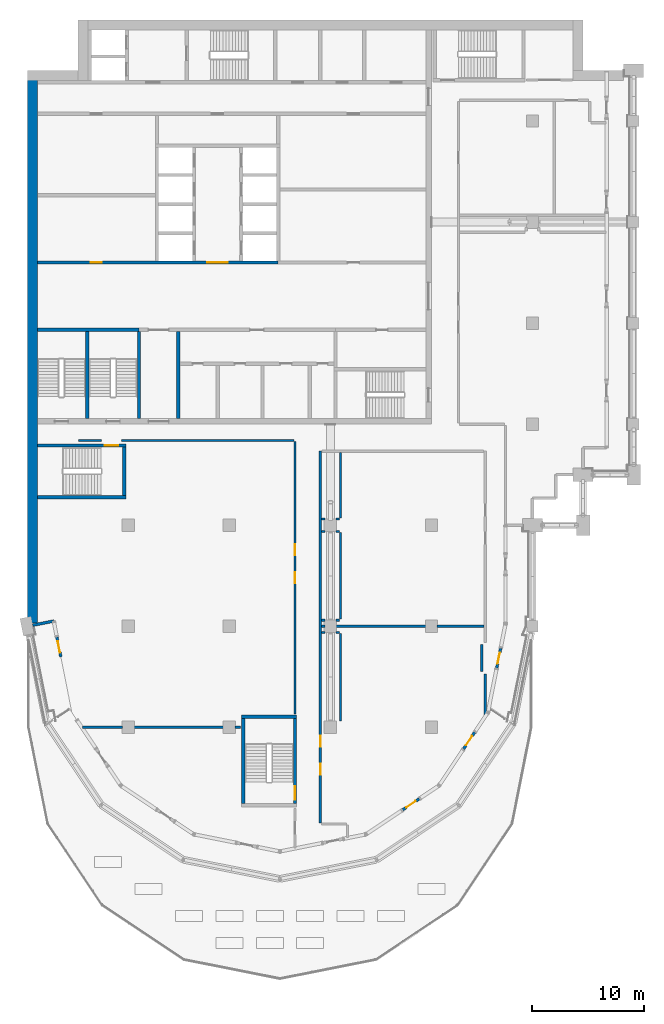
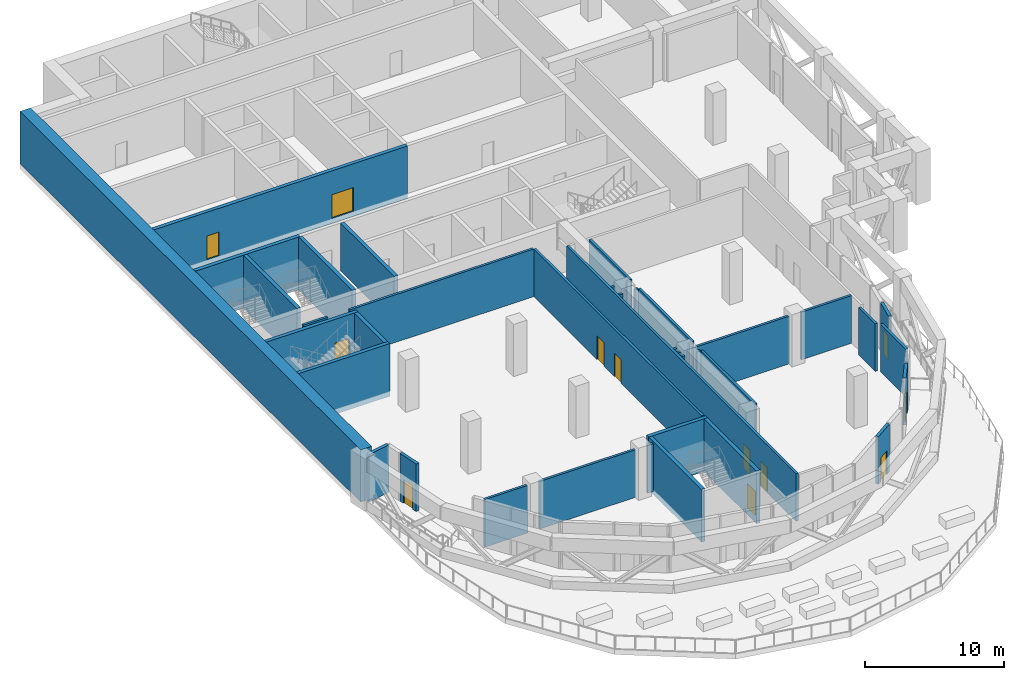
# One storey, part 6 of 16: 40 walls, 12 doors, 12 openings.
"""IFC4 building model written with IfcOpenShell, lengths in metres."""

from ifc_helpers import new_model, si_unit, direction, frame, frame_2d, origin, place, context, subcontext, project, spatial, rectangle, extrude, material, layer, layer_set, type_object, element, fill, save


model = new_model("IFC4")

# Units and contexts
model_context = context("Model", 3, precision=1e-05, world=origin(), true_north=direction((0.0, 1.0)))
body_context = subcontext(model_context, "Body", "Model", "MODEL_VIEW")
ifc_project = project(units=[si_unit("LENGTHUNIT", "METRE"), si_unit("AREAUNIT", "SQUARE_METRE"), si_unit("VOLUMEUNIT", "CUBIC_METRE"), si_unit("PLANEANGLEUNIT", "RADIAN"), si_unit("MASSUNIT", "GRAM", prefix="KILO")], contexts=[model_context])

# Site, building, storey
site_placement = place(None, origin())
site = spatial("IfcSite", under=ifc_project, at=site_placement, CompositionType="ELEMENT")
building_placement = place(site_placement, origin())
building = spatial("IfcBuilding", under=site, at=building_placement, Name="Hunhe Ridgeline Campus", CompositionType="ELEMENT")
storey_placement = place(building_placement, frame((0.0, 0.0, 227.199951171875)))
storey = spatial("IfcBuildingStorey", under=building, at=storey_placement, Name="L58", CompositionType="ELEMENT", Elevation=227.199951171875)

# Walls
ifc_material_1 = material(Name="Masonry concrete blockwork", Category="masonry")
ifc_layer_1 = layer(ifc_material_1, 0.300048828125)
ifc_layer_set_1 = layer_set([ifc_layer_1], Name="Core room partition 300 concrete block")
wall_type_1 = type_object("IfcWallType", Name="Core room partition 300 concrete block", PredefinedType="PARTITIONING", material=ifc_layer_set_1)
wall_1_placement = place(storey_placement, frame((13.449951171875, 63.5, 0.0), z_axis=(0.0, 0.0, 1.0), x_axis=(0.0, 1.0, 0.0)))
element("IfcWall", 1, at=wall_1_placement, inside=storey, type_object=wall_type_1, Name="L58 core partition 33", PredefinedType="PARTITIONING", context=body_context, shape_type="SweptSolid", body=[
    extrude(rectangle(XDim=7.75, YDim=0.300048828125, at=frame_2d((3.875, 0.0))), origin(), (0.0, 0.0, 1.0), 4.199951171875),
])
ifc_material_2 = material(Name="Concrete C30", Category="concrete")
ifc_layer_2 = layer(ifc_material_2, 0.25)
ifc_layer_set_2 = layer_set([ifc_layer_2], Name="Corner return wall 250 Concrete C30")
wall_type_2 = type_object("IfcWallType", Name="Corner return wall 250 Concrete C30", PredefinedType="SOLIDWALL", material=ifc_layer_set_2)
wall_2_placement = place(storey_placement, frame((0.490234375, 45.098388671875, 0.0), z_axis=(0.0, 0.0, 1.0), x_axis=(0.980836699013, 0.194831644939, 0.0)))
element("IfcWall", 2, at=wall_2_placement, inside=storey, type_object=wall_type_2, Name="Corner return wall 1", PredefinedType="SOLIDWALL", context=body_context, shape_type="SweptSolid", body=[
    extrude(rectangle(XDim=1.90087890625, YDim=0.25, at=frame_2d((0.950439453125, 0.0))), origin(), (0.0, 0.0, 1.0), 4.199951171875),
])
ifc_material_3 = material(Name="Gypsum board partition")
ifc_layer_3 = layer(ifc_material_3, 0.199951171875)
ifc_layer_set_3 = layer_set([ifc_layer_3], Name="Corridor partition 200 gypsum board on steel studs")
wall_type_3 = type_object("IfcWallType", Name="Corridor partition 200 gypsum board on steel studs", PredefinedType="PARTITIONING", material=ifc_layer_set_3)
wall_3_placement = place(storey_placement, frame((4.925537109375, 36.0, 0.0), z_axis=(0.0, 0.0, 1.0), x_axis=(1.0, 0.0, 0.0)))
element("IfcWall", 3, at=wall_3_placement, inside=storey, type_object=wall_type_3, Name="F-L58-wall-002", PredefinedType="PARTITIONING", context=body_context, shape_type="SweptSolid", body=[
    extrude(rectangle(XDim=3.574462890625, YDim=0.199951171875, at=frame_2d((1.787109375, 0.0))), origin(), (0.0, 0.0, 1.0), 4.199951171875),
])
wall_4_placement = place(storey_placement, frame((9.5, 36.0, 0.0), z_axis=(0.0, 0.0, 1.0), x_axis=(1.0, 0.0, 0.0)))
element("IfcWall", 4, at=wall_4_placement, inside=storey, type_object=wall_type_3, Name="F-L58-wall-003", PredefinedType="PARTITIONING", context=body_context, shape_type="SweptSolid", body=[
    extrude(rectangle(XDim=8.0, YDim=0.199951171875, at=frame_2d((4.0, 0.0))), origin(), (0.0, 0.0, 1.0), 4.199951171875),
])
wall_5_placement = place(storey_placement, frame((18.5, 36.0, 0.0), z_axis=(0.0, 0.0, 1.0), x_axis=(1.0, 0.0, 0.0)))
element("IfcWall", 5, at=wall_5_placement, inside=storey, type_object=wall_type_3, Name="F-L58-wall-004", PredefinedType="PARTITIONING", context=body_context, shape_type="SweptSolid", body=[
    extrude(rectangle(XDim=0.49609375, YDim=0.199951171875, at=frame_2d((0.248046875, 0.0))), origin(), (0.0, 0.0, 1.0), 4.199951171875),
])
for number, where, z_axis, x_axis, name in (
    (6, (26.199951171875, 44.449951171875, 0.0), (0.0, 0.0, 1.0), (1.0, 0.0, 0.0), "F-L58-wall-005"),
    (7, (27.5, 44.449951171875, 0.0), (0.0, 0.0, 1.0), (1.0, 0.0, 0.0), "F-L58-wall-006"),
    (8, (26.199951171875, 45.0, 0.0), (0.0, 0.0, 1.0), (1.0, 0.0, 0.0), "F-L58-wall-007"),
):
    element("IfcWall", number, at=place(storey_placement, frame(where, z_axis=z_axis, x_axis=x_axis)), inside=storey, type_object=wall_type_3, Name=name, PredefinedType="PARTITIONING", context=body_context, shape_type="SweptSolid", body=[
        extrude(rectangle(XDim=0.300048828125, YDim=0.199951171875, at=frame_2d((0.14990234375, 0.0))), origin(), (0.0, 0.0, 1.0), 4.199951171875),
    ])
wall_6_placement = place(storey_placement, frame((27.5, 45.0, 0.0), z_axis=(0.0, 0.0, 1.0), x_axis=(1.0, 0.0, 0.0)))
element("IfcWall", 9, at=wall_6_placement, inside=storey, type_object=wall_type_3, Name="F-L58-wall-008", PredefinedType="PARTITIONING", context=body_context, shape_type="SweptSolid", body=[
    extrude(rectangle(XDim=8.0, YDim=0.199951171875, at=frame_2d((4.0, 0.0))), origin(), (0.0, 0.0, 1.0), 4.199951171875),
])
wall_7_placement = place(storey_placement, frame((36.5, 45.0, 0.0), z_axis=(0.0, 0.0, 1.0), x_axis=(1.0, 0.0, 0.0)))
element("IfcWall", 10, at=wall_7_placement, inside=storey, type_object=wall_type_3, Name="F-L58-wall-009", PredefinedType="PARTITIONING", context=body_context, shape_type="SweptSolid", body=[
    extrude(rectangle(XDim=4.199951171875, YDim=0.199951171875, at=frame_2d((2.10009765625, 0.0))), origin(), (0.0, 0.0, 1.0), 4.199951171875),
])
for number, where, z_axis, x_axis, name in (
    (11, (26.199951171875, 45.550048828125, 0.0), (0.0, 0.0, 1.0), (1.0, 0.0, 0.0), "F-L58-wall-010"),
    (12, (27.5, 45.550048828125, 0.0), (0.0, 0.0, 1.0), (1.0, 0.0, 0.0), "F-L58-wall-011"),
    (13, (26.199951171875, 53.449951171875, 0.0), (0.0, 0.0, 1.0), (1.0, 0.0, 0.0), "F-L58-wall-012"),
    (14, (27.5, 53.449951171875, 0.0), (0.0, 0.0, 1.0), (1.0, 0.0, 0.0), "F-L58-wall-013"),
    (15, (26.199951171875, 54.550048828125, 0.0), (0.0, 0.0, 1.0), (1.0, 0.0, 0.0), "F-L58-wall-014"),
    (16, (27.5, 54.550048828125, 0.0), (0.0, 0.0, 1.0), (1.0, 0.0, 0.0), "F-L58-wall-015"),
):
    element("IfcWall", number, at=place(storey_placement, frame(where, z_axis=z_axis, x_axis=x_axis)), inside=storey, type_object=wall_type_3, Name=name, PredefinedType="PARTITIONING", context=body_context, shape_type="SweptSolid", body=[
        extrude(rectangle(XDim=0.300048828125, YDim=0.199951171875, at=frame_2d((0.14990234375, 0.0))), origin(), (0.0, 0.0, 1.0), 4.199951171875),
    ])
wall_8_placement = place(storey_placement, frame((23.75, 61.550048828125, 0.0), z_axis=(0.0, 0.0, 1.0), x_axis=(-1.0, 0.0, 0.0)))
element("IfcWall", 17, at=wall_8_placement, inside=storey, type_object=wall_type_3, Name="F-L58-wall-017", PredefinedType="PARTITIONING", context=body_context, shape_type="SweptSolid", body=[
    extrude(rectangle(XDim=15.35009765625, YDim=0.199951171875, at=frame_2d((7.675048828125, 0.0))), origin(), (0.0, 0.0, 1.0), 4.199951171875),
])
wall_9_placement = place(storey_placement, frame((6.590087890625, 61.550048828125, 0.0), z_axis=(0.0, 0.0, 1.0), x_axis=(-1.0, 0.0, 0.0)))
element("IfcWall", 18, at=wall_9_placement, inside=storey, type_object=wall_type_3, Name="F-L58-wall-018", PredefinedType="PARTITIONING", context=body_context, shape_type="SweptSolid", body=[
    extrude(rectangle(XDim=2.030029296875, YDim=0.199951171875, at=frame_2d((1.01513671875, 0.0))), origin(), (0.0, 0.0, 1.0), 4.199951171875),
])

# Wall, openings, doors
wall_10_placement = place(storey_placement, frame((23.85009765625, 37.2041015625, 0.0), z_axis=(0.0, 0.0, 1.0), x_axis=(0.0, 1.0, 0.0)))
wall_10 = element("IfcWall", 19, at=wall_10_placement, inside=storey, type_object=wall_type_3, Name="F-L58-wall-026", PredefinedType="PARTITIONING", context=body_context, shape_type="SweptSolid", body=[
    extrude(rectangle(XDim=24.245849609375, YDim=0.199951171875, at=frame_2d((12.123046875, 0.0))), origin(), (0.0, 0.0, 1.0), 4.199951171875),
])
opening_1_placement = place(wall_10_placement, frame((11.623046875, 0.0, 0.0)))
opening_1 = element("IfcOpeningElement", 20, at=opening_1_placement, cuts=wall_10, Name="Opening RD1-004", PredefinedType="OPENING", context=body_context, shape_type="SweptSolid", body=[
    extrude(rectangle(XDim=1.0, YDim=2.10009765625, at=frame_2d((0.5, 1.050048828125))), frame((0.0, 0.10009765625, 0.0), z_axis=(0.0, -1.0, 0.0), x_axis=(1.0, 0.0, 0.0)), (0.0, 0.0, 1.0), 0.199951171875),
])
opening_2_placement = place(wall_10_placement, frame((14.123046875, 0.0, 0.0)))
opening_2 = element("IfcOpeningElement", 21, at=opening_2_placement, cuts=wall_10, Name="Opening RD1-005", PredefinedType="OPENING", context=body_context, shape_type="SweptSolid", body=[
    extrude(rectangle(XDim=1.0, YDim=2.10009765625, at=frame_2d((0.5, 1.050048828125))), frame((0.0, 0.10009765625, 0.0), z_axis=(0.0, -1.0, 0.0), x_axis=(1.0, 0.0, 0.0)), (0.0, 0.0, 1.0), 0.199951171875),
])
ifc_material_4 = material(Name="Timber door leaf", Category="wood")
door_type_1 = type_object("IfcDoorType", Name="Single fire door 1000x2100 timber FD60", OperationType="NOTDEFINED", PredefinedType="DOOR", material=ifc_material_4)
door_1_placement = place(opening_1_placement, frame((1.0, 0.0, 0.0), z_axis=(0.0, 0.0, 1.0), x_axis=(-1.0, 0.0, 0.0)))
door_1 = element("IfcDoor", 22, at=door_1_placement, inside=storey, type_object=door_type_1, Name="F-L58-door-004", OperationType="SINGLE_SWING_LEFT", OverallHeight=2.10009765625, OverallWidth=1.0, PredefinedType="DOOR", context=body_context, shape_type="SweptSolid", body=[
    extrude(rectangle(XDim=1.0, YDim=2.10009765625, at=frame_2d((0.5, 1.050048828125))), frame((0.0, 0.02490234375, 0.0), z_axis=(0.0, -1.0, 0.0), x_axis=(1.0, 0.0, 0.0)), (0.0, 0.0, 1.0), 0.050048828125),
])
fill(opening_1, door_1)
door_2_placement = place(opening_2_placement, frame((1.0, 0.0, 0.0), z_axis=(0.0, 0.0, 1.0), x_axis=(-1.0, 0.0, 0.0)))
door_2 = element("IfcDoor", 23, at=door_2_placement, inside=storey, type_object=door_type_1, Name="F-L58-door-005", OperationType="SINGLE_SWING_LEFT", OverallHeight=2.10009765625, OverallWidth=1.0, PredefinedType="DOOR", context=body_context, shape_type="SweptSolid", body=[
    extrude(rectangle(XDim=1.0, YDim=2.10009765625, at=frame_2d((0.5, 1.050048828125))), frame((0.0, 0.02490234375, 0.0), z_axis=(0.0, -1.0, 0.0), x_axis=(1.0, 0.0, 0.0)), (0.0, 0.0, 1.0), 0.050048828125),
])
fill(opening_2, door_2)

wall_11_placement = place(storey_placement, frame((26.10009765625, 60.599853515625, 0.0), z_axis=(0.0, 0.0, 1.0), x_axis=(0.0, -1.0, 0.0)))
wall_11 = element("IfcWall", 24, at=wall_11_placement, inside=storey, type_object=wall_type_3, Name="F-L58-wall-028", PredefinedType="PARTITIONING", context=body_context, shape_type="SweptSolid", body=[
    extrude(rectangle(XDim=33.11279296875, YDim=0.199951171875, at=frame_2d((16.556396484375, 0.0))), origin(), (0.0, 0.0, 1.0), 4.199951171875),
])
opening_3_placement = place(wall_11_placement, frame((27.8330078125, 0.0, 0.0)))
opening_3 = element("IfcOpeningElement", 25, at=opening_3_placement, cuts=wall_11, Name="Opening RD1-002", PredefinedType="OPENING", context=body_context, shape_type="SweptSolid", body=[
    extrude(rectangle(XDim=1.0, YDim=2.10009765625, at=frame_2d((0.5, 1.050048828125))), frame((0.0, 0.10009765625, 0.0), z_axis=(0.0, -1.0, 0.0), x_axis=(1.0, 0.0, 0.0)), (0.0, 0.0, 1.0), 0.199951171875),
])
opening_4_placement = place(wall_11_placement, frame((25.3330078125, 0.0, 0.0)))
opening_4 = element("IfcOpeningElement", 26, at=opening_4_placement, cuts=wall_11, Name="Opening RD1-003", PredefinedType="OPENING", context=body_context, shape_type="SweptSolid", body=[
    extrude(rectangle(XDim=1.0, YDim=2.10009765625, at=frame_2d((0.5, 1.050048828125))), frame((0.0, 0.10009765625, 0.0), z_axis=(0.0, -1.0, 0.0), x_axis=(1.0, 0.0, 0.0)), (0.0, 0.0, 1.0), 0.199951171875),
])
door_3_placement = place(opening_3_placement, frame((1.0, 0.0, 0.0), z_axis=(0.0, 0.0, 1.0), x_axis=(-1.0, 0.0, 0.0)))
door_3 = element("IfcDoor", 27, at=door_3_placement, inside=storey, type_object=door_type_1, Name="F-L58-door-002", OperationType="SINGLE_SWING_LEFT", OverallHeight=2.10009765625, OverallWidth=1.0, PredefinedType="DOOR", context=body_context, shape_type="SweptSolid", body=[
    extrude(rectangle(XDim=1.0, YDim=2.10009765625, at=frame_2d((0.5, 1.050048828125))), frame((0.0, 0.02490234375, 0.0), z_axis=(0.0, -1.0, 0.0), x_axis=(1.0, 0.0, 0.0)), (0.0, 0.0, 1.0), 0.050048828125),
])
fill(opening_3, door_3)
door_4_placement = place(opening_4_placement, frame((1.0, 0.0, 0.0), z_axis=(0.0, 0.0, 1.0), x_axis=(-1.0, 0.0, 0.0)))
door_4 = element("IfcDoor", 28, at=door_4_placement, inside=storey, type_object=door_type_1, Name="F-L58-door-003", OperationType="SINGLE_SWING_LEFT", OverallHeight=2.10009765625, OverallWidth=1.0, PredefinedType="DOOR", context=body_context, shape_type="SweptSolid", body=[
    extrude(rectangle(XDim=1.0, YDim=2.10009765625, at=frame_2d((0.5, 1.050048828125))), frame((0.0, 0.02490234375, 0.0), z_axis=(0.0, -1.0, 0.0), x_axis=(1.0, 0.0, 0.0)), (0.0, 0.0, 1.0), 0.050048828125),
])
fill(opening_4, door_4)

# Walls
wall_12_placement = place(storey_placement, frame((27.89990234375, 44.35009765625, 0.0), z_axis=(0.0, 0.0, 1.0), x_axis=(0.0, -1.0, 0.0)))
element("IfcWall", 29, at=wall_12_placement, inside=storey, type_object=wall_type_3, Name="F-L58-wall-029", PredefinedType="PARTITIONING", context=body_context, shape_type="SweptSolid", body=[
    extrude(rectangle(XDim=7.800048828125, YDim=0.199951171875, at=frame_2d((3.89990234375, 0.0))), origin(), (0.0, 0.0, 1.0), 4.199951171875),
])
wall_13_placement = place(storey_placement, frame((27.89990234375, 53.35009765625, 0.0), z_axis=(0.0, 0.0, 1.0), x_axis=(0.0, -1.0, 0.0)))
element("IfcWall", 30, at=wall_13_placement, inside=storey, type_object=wall_type_3, Name="F-L58-wall-030", PredefinedType="PARTITIONING", context=body_context, shape_type="SweptSolid", body=[
    extrude(rectangle(XDim=7.7001953125, YDim=0.199951171875, at=frame_2d((3.85009765625, 0.0))), origin(), (0.0, 0.0, 1.0), 4.199951171875),
])
wall_14_placement = place(storey_placement, frame((27.89990234375, 60.5, 0.0), z_axis=(0.0, 0.0, 1.0), x_axis=(0.0, -1.0, 0.0)))
element("IfcWall", 31, at=wall_14_placement, inside=storey, type_object=wall_type_3, Name="F-L58-wall-031", PredefinedType="PARTITIONING", context=body_context, shape_type="SweptSolid", body=[
    extrude(rectangle(XDim=5.85009765625, YDim=0.199951171875, at=frame_2d((2.925048828125, 0.0))), origin(), (0.0, 0.0, 1.0), 4.199951171875),
])
wall_15_placement = place(storey_placement, frame((40.488037109375, 40.964111328125, 0.0), z_axis=(0.0, 0.0, 1.0), x_axis=(0.0, 1.0, 0.0)))
element("IfcWall", 32, at=wall_15_placement, inside=storey, type_object=wall_type_3, Name="F-L58-wall-034", PredefinedType="PARTITIONING", context=body_context, shape_type="SweptSolid", body=[
    extrude(rectangle(XDim=2.39990234375, YDim=0.199951171875, at=frame_2d((1.199951171875, 0.0))), origin(), (0.0, 0.0, 1.0), 4.199951171875),
])
wall_16_placement = place(storey_placement, frame((40.800048828125, 37.0859375, 0.0), z_axis=(0.0, 0.0, 1.0), x_axis=(0.0, 1.0, 0.0)))
element("IfcWall", 33, at=wall_16_placement, inside=storey, type_object=wall_type_3, Name="F-L58-wall-035", PredefinedType="PARTITIONING", context=body_context, shape_type="SweptSolid", body=[
    extrude(rectangle(XDim=3.677978515625, YDim=0.199951171875, at=frame_2d((1.8388671875, 0.0))), origin(), (0.0, 0.0, 1.0), 4.199951171875),
])

# Wall, opening, door
ifc_layer_4 = layer(ifc_material_2, 0.25)
ifc_layer_set_4 = layer_set([ifc_layer_4], Name="Loggia door pier wall 250 Concrete C30")
wall_type_4 = type_object("IfcWallType", Name="Loggia door pier wall 250 Concrete C30", PredefinedType="SOLIDWALL", material=ifc_layer_set_4)
wall_17_placement = place(storey_placement, frame((2.637939453125, 44.045654296875, 0.0), z_axis=(0.0, 0.0, 1.0), x_axis=(0.195046569833, -0.980793982239, 0.0)))
wall_17 = element("IfcWall", 34, at=wall_17_placement, inside=storey, type_object=wall_type_4, Name="Loggia door pier 1", PredefinedType="SOLIDWALL", context=body_context, shape_type="SweptSolid", body=[
    extrude(rectangle(XDim=1.800048828125, YDim=0.25, at=frame_2d((0.89990234375, 0.0))), origin(), (0.0, 0.0, 1.0), 4.199951171875),
])
opening_5_placement = place(wall_17_placement, frame((0.39990234375, 0.0, 0.0)))
opening_5 = element("IfcOpeningElement", 35, at=opening_5_placement, cuts=wall_17, Name="Opening BR501", PredefinedType="OPENING", context=body_context, shape_type="SweptSolid", body=[
    extrude(rectangle(XDim=1.0, YDim=2.10009765625, at=frame_2d((0.5, 1.050048828125))), frame((0.0, 0.125, 0.0), z_axis=(0.0, -1.0, 0.0), x_axis=(1.0, 0.0, 0.0)), (0.0, 0.0, 1.0), 0.25),
])
ifc_material_5 = material(Name="Aluminium 6063", Category="aluminium")
door_type_2 = type_object("IfcDoorType", Name="Loggia glazed door 1000x2100", OperationType="NOTDEFINED", PredefinedType="DOOR", material=ifc_material_5)
door_5_placement = place(opening_5_placement, frame((1.0, 0.0, 0.0), z_axis=(0.0, 0.0, 1.0), x_axis=(-1.0, 0.0, 0.0)))
door_5 = element("IfcDoor", 36, at=door_5_placement, inside=storey, type_object=door_type_2, Name="Loggia door BR501", OperationType="SINGLE_SWING_RIGHT", OverallHeight=2.10009765625, OverallWidth=1.0, PredefinedType="DOOR", context=body_context, shape_type="SweptSolid", body=[
    extrude(rectangle(XDim=1.0, YDim=2.10009765625, at=frame_2d((0.5, 1.050048828125))), frame((0.0, 0.02490234375, 0.0), z_axis=(0.0, -1.0, 0.0), x_axis=(1.0, 0.0, 0.0)), (0.0, 0.0, 1.0), 0.050048828125),
])
fill(opening_5, door_5)

wall_18_placement = place(storey_placement, frame((33.42626953125, 28.647705078125, 0.0), z_axis=(0.0, 0.0, 1.0), x_axis=(0.83146554274, 0.555576323502, 0.0)))
wall_18 = element("IfcWall", 37, at=wall_18_placement, inside=storey, type_object=wall_type_4, Name="Loggia door pier 6", PredefinedType="SOLIDWALL", context=body_context, shape_type="SweptSolid", body=[
    extrude(rectangle(XDim=1.800048828125, YDim=0.25, at=frame_2d((0.89990234375, 0.0))), origin(), (0.0, 0.0, 1.0), 4.199951171875),
])
opening_6_placement = place(wall_18_placement, frame((0.39990234375, 0.0, 0.0)))
opening_6 = element("IfcOpeningElement", 38, at=opening_6_placement, cuts=wall_18, Name="Opening BR506", PredefinedType="OPENING", context=body_context, shape_type="SweptSolid", body=[
    extrude(rectangle(XDim=1.0, YDim=2.10009765625, at=frame_2d((0.5, 1.050048828125))), frame((0.0, 0.125, 0.0), z_axis=(0.0, -1.0, 0.0), x_axis=(1.0, 0.0, 0.0)), (0.0, 0.0, 1.0), 0.25),
])
door_6_placement = place(opening_6_placement, frame((1.0, 0.0, 0.0), z_axis=(0.0, 0.0, 1.0), x_axis=(-1.0, 0.0, 0.0)))
door_6 = element("IfcDoor", 39, at=door_6_placement, inside=storey, type_object=door_type_2, Name="Loggia door BR506", OperationType="SINGLE_SWING_LEFT", OverallHeight=2.10009765625, OverallWidth=1.0, PredefinedType="DOOR", context=body_context, shape_type="SweptSolid", body=[
    extrude(rectangle(XDim=1.0, YDim=2.10009765625, at=frame_2d((0.5, 1.050048828125))), frame((0.0, 0.02490234375, 0.0), z_axis=(0.0, -1.0, 0.0), x_axis=(1.0, 0.0, 0.0)), (0.0, 0.0, 1.0), 0.050048828125),
])
fill(opening_6, door_6)

wall_19_placement = place(storey_placement, frame((38.852294921875, 34.07373046875, 0.0), z_axis=(0.0, 0.0, 1.0), x_axis=(0.555576323502, 0.83146554274, 0.0)))
wall_19 = element("IfcWall", 40, at=wall_19_placement, inside=storey, type_object=wall_type_4, Name="Loggia door pier 7", PredefinedType="SOLIDWALL", context=body_context, shape_type="SweptSolid", body=[
    extrude(rectangle(XDim=1.800048828125, YDim=0.25, at=frame_2d((0.89990234375, 0.0))), origin(), (0.0, 0.0, 1.0), 4.199951171875),
])
opening_7_placement = place(wall_19_placement, frame((0.39990234375, 0.0, 0.0)))
opening_7 = element("IfcOpeningElement", 41, at=opening_7_placement, cuts=wall_19, Name="Opening BR507", PredefinedType="OPENING", context=body_context, shape_type="SweptSolid", body=[
    extrude(rectangle(XDim=1.0, YDim=2.10009765625, at=frame_2d((0.5, 1.050048828125))), frame((0.0, 0.125, 0.0), z_axis=(0.0, -1.0, 0.0), x_axis=(1.0, 0.0, 0.0)), (0.0, 0.0, 1.0), 0.25),
])
door_7_placement = place(opening_7_placement, frame((1.0, 0.0, 0.0), z_axis=(0.0, 0.0, 1.0), x_axis=(-1.0, 0.0, 0.0)))
door_7 = element("IfcDoor", 42, at=door_7_placement, inside=storey, type_object=door_type_2, Name="Loggia door BR507", OperationType="SINGLE_SWING_RIGHT", OverallHeight=2.10009765625, OverallWidth=1.0, PredefinedType="DOOR", context=body_context, shape_type="SweptSolid", body=[
    extrude(rectangle(XDim=1.0, YDim=2.10009765625, at=frame_2d((0.5, 1.050048828125))), frame((0.0, 0.02490234375, 0.0), z_axis=(0.0, -1.0, 0.0), x_axis=(1.0, 0.0, 0.0)), (0.0, 0.0, 1.0), 0.050048828125),
])
fill(opening_7, door_7)

wall_20_placement = place(storey_placement, frame((41.812255859375, 41.281494140625, 0.0), z_axis=(0.0, 0.0, 1.0), x_axis=(0.19517704197, 0.980768026746, 0.0)))
wall_20 = element("IfcWall", 43, at=wall_20_placement, inside=storey, type_object=wall_type_4, Name="Loggia door pier 8", PredefinedType="SOLIDWALL", context=body_context, shape_type="SweptSolid", body=[
    extrude(rectangle(XDim=1.800048828125, YDim=0.25, at=frame_2d((0.89990234375, 0.0))), origin(), (0.0, 0.0, 1.0), 4.199951171875),
])
opening_8_placement = place(wall_20_placement, frame((0.39990234375, 0.0, 0.0)))
opening_8 = element("IfcOpeningElement", 44, at=opening_8_placement, cuts=wall_20, Name="Opening BR508", PredefinedType="OPENING", context=body_context, shape_type="SweptSolid", body=[
    extrude(rectangle(XDim=1.0, YDim=2.10009765625, at=frame_2d((0.5, 1.050048828125))), frame((0.0, 0.125, 0.0), z_axis=(0.0, -1.0, 0.0), x_axis=(1.0, 0.0, 0.0)), (0.0, 0.0, 1.0), 0.25),
])
door_8_placement = place(opening_8_placement, frame((1.0, 0.0, 0.0), z_axis=(0.0, 0.0, 1.0), x_axis=(-1.0, 0.0, 0.0)))
door_8 = element("IfcDoor", 45, at=door_8_placement, inside=storey, type_object=door_type_2, Name="Loggia door BR508", OperationType="SINGLE_SWING_LEFT", OverallHeight=2.10009765625, OverallWidth=1.0, PredefinedType="DOOR", context=body_context, shape_type="SweptSolid", body=[
    extrude(rectangle(XDim=1.0, YDim=2.10009765625, at=frame_2d((0.5, 1.050048828125))), frame((0.0, 0.02490234375, 0.0), z_axis=(0.0, -1.0, 0.0), x_axis=(1.0, 0.0, 0.0)), (0.0, 0.0, 1.0), 0.050048828125),
])
fill(opening_8, door_8)

# Wall, openings, doors
ifc_material_6 = material(Name="Concrete C50", Category="concrete")
ifc_layer_5 = layer(ifc_material_6, 0.300048828125)
ifc_layer_set_5 = layer_set([ifc_layer_5], Name="Shaft wall 300 reinforced concrete C50")
wall_type_5 = type_object("IfcWallType", Name="Shaft wall 300 reinforced concrete C50", PredefinedType="SOLIDWALL", material=ifc_layer_set_5)
wall_21_placement = place(storey_placement, frame((0.89990234375, 77.39990234375, -0.449951171875), z_axis=(0.0, 0.0, 1.0), x_axis=(1.0, 0.0, 0.0)))
wall_21 = element("IfcWall", 46, at=wall_21_placement, inside=storey, type_object=wall_type_5, Name="L58 core wall 11", PredefinedType="SOLIDWALL", context=body_context, shape_type="SweptSolid", body=[
    extrude(rectangle(XDim=21.4501953125, YDim=0.300048828125, at=frame_2d((10.72509765625, 0.0))), origin(), (0.0, 0.0, 1.0), 4.64990234375),
])
opening_9_placement = place(wall_21_placement, frame((15.14990234375, 0.0, 0.449951171875)))
opening_9 = element("IfcOpeningElement", 47, at=opening_9_placement, cuts=wall_21, Name="Opening CD38", PredefinedType="OPENING", context=body_context, shape_type="SweptSolid", body=[
    extrude(rectangle(XDim=1.800048828125, YDim=2.10009765625, at=frame_2d((0.89990234375, 1.050048828125))), frame((0.0, 0.14990234375, 0.0), z_axis=(0.0, -1.0, 0.0), x_axis=(1.0, 0.0, 0.0)), (0.0, 0.0, 1.0), 0.300048828125),
])
opening_10_placement = place(wall_21_placement, frame((4.75, 0.0, 0.449951171875)))
opening_10 = element("IfcOpeningElement", 48, at=opening_10_placement, cuts=wall_21, Name="Opening CD39", PredefinedType="OPENING", context=body_context, shape_type="SweptSolid", body=[
    extrude(rectangle(XDim=1.0, YDim=2.10009765625, at=frame_2d((0.5, 1.050048828125))), frame((0.0, 0.14990234375, 0.0), z_axis=(0.0, -1.0, 0.0), x_axis=(1.0, 0.0, 0.0)), (0.0, 0.0, 1.0), 0.300048828125),
])
ifc_material_7 = material(Name="Hollow metal fire door leaf")
door_type_3 = type_object("IfcDoorType", Name="Lobby door 1800x2100 FD60", OperationType="SINGLE_SWING_LEFT", PredefinedType="DOOR", material=ifc_material_7)
door_9_placement = place(opening_9_placement, frame((1.800048828125, 0.0, 0.0), z_axis=(0.0, 0.0, 1.0), x_axis=(-1.0, 0.0, 0.0)))
door_9 = element("IfcDoor", 49, at=door_9_placement, inside=storey, type_object=door_type_3, Name="L58 door LOB-HR", OperationType="SINGLE_SWING_RIGHT", OverallHeight=2.10009765625, OverallWidth=1.800048828125, PredefinedType="DOOR", context=body_context, shape_type="SweptSolid", body=[
    extrude(rectangle(XDim=1.800048828125, YDim=2.10009765625, at=frame_2d((0.89990234375, 1.050048828125))), frame((0.0, 0.02490234375, 0.0), z_axis=(0.0, -1.0, 0.0), x_axis=(1.0, 0.0, 0.0)), (0.0, 0.0, 1.0), 0.050048828125),
])
fill(opening_9, door_9)
ifc_material_8 = material(Name="Solid core timber door leaf", Category="wood")
door_type_4 = type_object("IfcDoorType", Name="Timber door 1000x2100", OperationType="SINGLE_SWING_LEFT", PredefinedType="DOOR", material=ifc_material_8)
door_10_placement = place(opening_10_placement, origin())
door_10 = element("IfcDoor", 50, at=door_10_placement, inside=storey, type_object=door_type_4, Name="L58 door VD-LR0", OperationType="SINGLE_SWING_LEFT", OverallHeight=2.10009765625, OverallWidth=1.0, PredefinedType="DOOR", context=body_context, shape_type="SweptSolid", body=[
    extrude(rectangle(XDim=1.0, YDim=2.10009765625, at=frame_2d((0.5, 1.050048828125))), frame((0.0, 0.02490234375, 0.0), z_axis=(0.0, -1.0, 0.0), x_axis=(1.0, 0.0, 0.0)), (0.0, 0.0, 1.0), 0.050048828125),
])
fill(opening_10, door_10)

# Walls
ifc_material_9 = material(Name="Concrete C60", Category="concrete")
ifc_layer_6 = layer(ifc_material_9, 0.89990234375)
ifc_layer_set_6 = layer_set([ifc_layer_6], Name="Spine wall 900 Concrete C60")
wall_type_6 = type_object("IfcWallType", Name="Spine wall 900 Concrete C60", PredefinedType="SHEAR", material=ifc_layer_set_6)
wall_22_placement = place(storey_placement, frame((0.449951171875, 94.5, 0.0), z_axis=(0.0, 0.0, 1.0), x_axis=(0.0, -1.0, 0.0)))
element("IfcWall", 51, at=wall_22_placement, inside=storey, type_object=wall_type_6, Name="Spine wall SW3-1 L58", PredefinedType="SHEAR", context=body_context, shape_type="SweptSolid", body=[
    extrude(rectangle(XDim=49.199462890625, YDim=0.89990234375, at=frame_2d((24.599609375, 0.0))), origin(), (0.0, 0.0, 1.0), 4.60009765625),
])
ifc_layer_7 = layer(ifc_material_6, 0.300048828125)
ifc_layer_set_7 = layer_set([ifc_layer_7], Name="Stair wall 300 reinforced concrete C50")
wall_type_7 = type_object("IfcWallType", Name="Stair wall 300 reinforced concrete C50", PredefinedType="SOLIDWALL", material=ifc_layer_set_7)
wall_23_placement = place(storey_placement, frame((19.10009765625, 36.949951171875, -0.449951171875), z_axis=(0.0, 0.0, 1.0), x_axis=(1.0, 0.0, 0.0)))
element("IfcWall", 52, at=wall_23_placement, inside=storey, type_object=wall_type_7, Name="L58 core wall 2", PredefinedType="SOLIDWALL", context=body_context, shape_type="SweptSolid", body=[
    extrude(rectangle(XDim=4.89990234375, YDim=0.300048828125, at=frame_2d((2.449951171875, 0.0))), origin(), (0.0, 0.0, 1.0), 4.64990234375),
])
wall_24_placement = place(storey_placement, frame((0.89990234375, 56.5, -0.449951171875), z_axis=(0.0, 0.0, 1.0), x_axis=(1.0, 0.0, 0.0)))
element("IfcWall", 53, at=wall_24_placement, inside=storey, type_object=wall_type_7, Name="L58 core wall 3", PredefinedType="SOLIDWALL", context=body_context, shape_type="SweptSolid", body=[
    extrude(rectangle(XDim=7.900146484375, YDim=0.300048828125, at=frame_2d((3.9501953125, 0.0))), origin(), (0.0, 0.0, 1.0), 4.64990234375),
])

# Wall, opening, door
wall_25_placement = place(storey_placement, frame((0.89990234375, 61.10009765625, -0.449951171875), z_axis=(0.0, 0.0, 1.0), x_axis=(1.0, 0.0, 0.0)))
wall_25 = element("IfcWall", 54, at=wall_25_placement, inside=storey, type_object=wall_type_7, Name="L58 core wall 4", PredefinedType="SOLIDWALL", context=body_context, shape_type="SweptSolid", body=[
    extrude(rectangle(XDim=7.900146484375, YDim=0.300048828125, at=frame_2d((3.9501953125, 0.0))), origin(), (0.0, 0.0, 1.0), 4.64990234375),
])
opening_11_placement = place(wall_25_placement, frame((6.0, 0.0, 0.449951171875)))
opening_11 = element("IfcOpeningElement", 55, at=opening_11_placement, cuts=wall_25, Name="Opening CD22", PredefinedType="OPENING", context=body_context, shape_type="SweptSolid", body=[
    extrude(rectangle(XDim=1.199951171875, YDim=2.10009765625, at=frame_2d((0.60009765625, 1.050048828125))), frame((0.0, 0.14990234375, 0.0), z_axis=(0.0, -1.0, 0.0), x_axis=(1.0, 0.0, 0.0)), (0.0, 0.0, 1.0), 0.300048828125),
])
door_type_5 = type_object("IfcDoorType", Name="Stair door 1200x2100 FD60", OperationType="SINGLE_SWING_LEFT", PredefinedType="DOOR", material=ifc_material_7)
door_11_placement = place(opening_11_placement, origin())
door_11 = element("IfcDoor", 56, at=door_11_placement, inside=storey, type_object=door_type_5, Name="L58 door W2", OperationType="SINGLE_SWING_LEFT", OverallHeight=2.10009765625, OverallWidth=1.199951171875, PredefinedType="DOOR", context=body_context, shape_type="SweptSolid", body=[
    extrude(rectangle(XDim=1.199951171875, YDim=2.10009765625, at=frame_2d((0.60009765625, 1.050048828125))), frame((0.0, 0.02490234375, 0.0), z_axis=(0.0, -1.0, 0.0), x_axis=(1.0, 0.0, 0.0)), (0.0, 0.0, 1.0), 0.050048828125),
])
fill(opening_11, door_11)

# Walls
wall_26_placement = place(storey_placement, frame((0.89990234375, 71.39990234375, -0.449951171875), z_axis=(0.0, 0.0, 1.0), x_axis=(1.0, 0.0, 0.0)))
element("IfcWall", 57, at=wall_26_placement, inside=storey, type_object=wall_type_7, Name="L58 core wall 8", PredefinedType="SOLIDWALL", context=body_context, shape_type="SweptSolid", body=[
    extrude(rectangle(XDim=9.050048828125, YDim=0.300048828125, at=frame_2d((4.52490234375, 0.0))), origin(), (0.0, 0.0, 1.0), 4.64990234375),
])
wall_27_placement = place(storey_placement, frame((5.35009765625, 63.5, -0.449951171875), z_axis=(0.0, 0.0, 1.0), x_axis=(0.0, 1.0, 0.0)))
element("IfcWall", 58, at=wall_27_placement, inside=storey, type_object=wall_type_7, Name="L58 core wall 26", PredefinedType="SOLIDWALL", context=body_context, shape_type="SweptSolid", body=[
    extrude(rectangle(XDim=7.75, YDim=0.300048828125, at=frame_2d((3.875, 0.0))), origin(), (0.0, 0.0, 1.0), 4.64990234375),
])
wall_28_placement = place(storey_placement, frame((8.64990234375, 56.64990234375, -0.449951171875), z_axis=(0.0, 0.0, 1.0), x_axis=(0.0, 1.0, 0.0)))
element("IfcWall", 59, at=wall_28_placement, inside=storey, type_object=wall_type_7, Name="L58 core wall 28", PredefinedType="SOLIDWALL", context=body_context, shape_type="SweptSolid", body=[
    extrude(rectangle(XDim=4.300048828125, YDim=0.300048828125, at=frame_2d((2.14990234375, 0.0))), origin(), (0.0, 0.0, 1.0), 4.64990234375),
])
wall_29_placement = place(storey_placement, frame((9.949951171875, 63.5, -0.449951171875), z_axis=(0.0, 0.0, 1.0), x_axis=(0.0, 1.0, 0.0)))
element("IfcWall", 60, at=wall_29_placement, inside=storey, type_object=wall_type_7, Name="L58 core wall 30", PredefinedType="SOLIDWALL", context=body_context, shape_type="SweptSolid", body=[
    extrude(rectangle(XDim=7.75, YDim=0.300048828125, at=frame_2d((3.875, 0.0))), origin(), (0.0, 0.0, 1.0), 4.64990234375),
])
wall_30_placement = place(storey_placement, frame((19.25, 29.199951171875, -0.449951171875), z_axis=(0.0, 0.0, 1.0), x_axis=(0.0, 1.0, 0.0)))
element("IfcWall", 61, at=wall_30_placement, inside=storey, type_object=wall_type_7, Name="L58 core wall 38", PredefinedType="SOLIDWALL", context=body_context, shape_type="SweptSolid", body=[
    extrude(rectangle(XDim=7.60009765625, YDim=0.300048828125, at=frame_2d((3.800048828125, 0.0))), origin(), (0.0, 0.0, 1.0), 4.64990234375),
])

# Wall, opening, door
wall_31_placement = place(storey_placement, frame((23.85009765625, 29.199951171875, -0.449951171875), z_axis=(0.0, 0.0, 1.0), x_axis=(0.0, 1.0, 0.0)))
wall_31 = element("IfcWall", 62, at=wall_31_placement, inside=storey, type_object=wall_type_7, Name="L58 core wall 43", PredefinedType="SOLIDWALL", context=body_context, shape_type="SweptSolid", body=[
    extrude(rectangle(XDim=7.60009765625, YDim=0.300048828125, at=frame_2d((3.800048828125, 0.0))), origin(), (0.0, 0.0, 1.0), 4.64990234375),
])
opening_12_placement = place(wall_31_placement, frame((0.375, 0.0, 0.449951171875)))
opening_12 = element("IfcOpeningElement", 63, at=opening_12_placement, cuts=wall_31, Name="Opening CD23", PredefinedType="OPENING", context=body_context, shape_type="SweptSolid", body=[
    extrude(rectangle(XDim=1.199951171875, YDim=2.10009765625, at=frame_2d((0.60009765625, 1.050048828125))), frame((0.0, 0.14990234375, 0.0), z_axis=(0.0, -1.0, 0.0), x_axis=(1.0, 0.0, 0.0)), (0.0, 0.0, 1.0), 0.300048828125),
])
door_12_placement = place(opening_12_placement, frame((1.199951171875, 0.0, 0.0), z_axis=(0.0, 0.0, 1.0), x_axis=(-1.0, 0.0, 0.0)))
door_12 = element("IfcDoor", 64, at=door_12_placement, inside=storey, type_object=door_type_5, Name="L58 door W3", OperationType="SINGLE_SWING_LEFT", OverallHeight=2.10009765625, OverallWidth=1.199951171875, PredefinedType="DOOR", context=body_context, shape_type="SweptSolid", body=[
    extrude(rectangle(XDim=1.199951171875, YDim=2.10009765625, at=frame_2d((0.60009765625, 1.050048828125))), frame((0.0, 0.02490234375, 0.0), z_axis=(0.0, -1.0, 0.0), x_axis=(1.0, 0.0, 0.0)), (0.0, 0.0, 1.0), 0.050048828125),
])
fill(opening_12, door_12)

save(model, "model.ifc")
